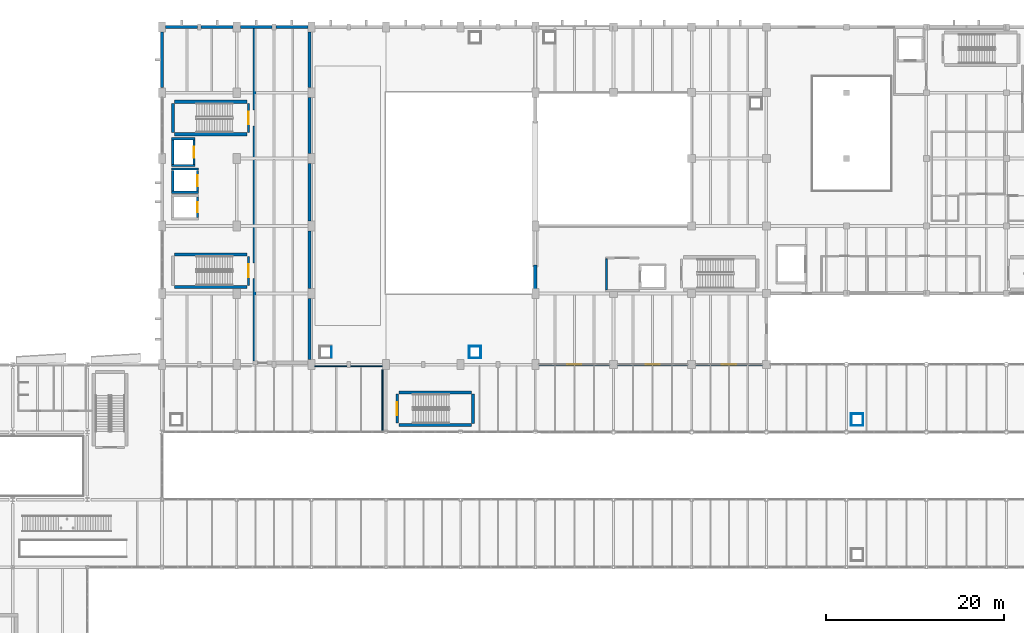
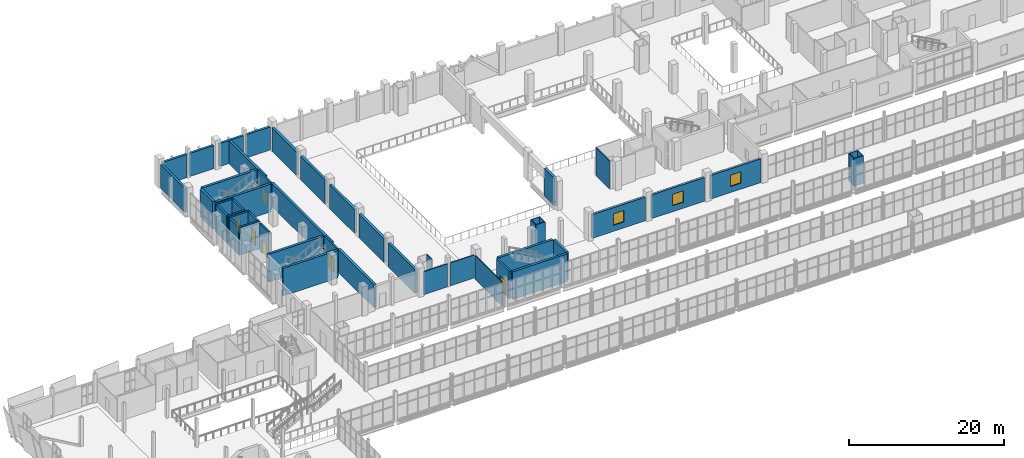
# One storey, part 154 of 172: 50 walls, 6 doors, 3 windows, 9 openings.
"""IFC4 building model written with IfcOpenShell, lengths in metres."""

from ifc_helpers import new_model, si_unit, direction, frame, frame_2d, origin, place, context, subcontext, project, spatial, rectangle, extrude, material, layer, layer_set, type_object, element, fill, save


model = new_model("IFC4")

# Units and contexts
model_context = context("Model", 3, precision=1e-05, world=origin(), true_north=direction((0.0, 1.0)))
body_context = subcontext(model_context, "Body", "Model", "MODEL_VIEW")
ifc_project = project(units=[si_unit("LENGTHUNIT", "METRE"), si_unit("AREAUNIT", "SQUARE_METRE"), si_unit("VOLUMEUNIT", "CUBIC_METRE"), si_unit("PLANEANGLEUNIT", "RADIAN"), si_unit("MASSUNIT", "GRAM", prefix="KILO")], contexts=[model_context])

# Site, building, storey
site_placement = place(None, origin())
site = spatial("IfcSite", under=ifc_project, at=site_placement, CompositionType="ELEMENT")
building_placement = place(site_placement, origin())
building = spatial("IfcBuilding", under=site, at=building_placement, Name="Shengluoqiao Park Theatre", CompositionType="ELEMENT")
storey_placement = place(building_placement, frame((0.0, 0.0, 5.39990234375)))
storey = spatial("IfcBuildingStorey", under=building, at=storey_placement, Name="L01", CompositionType="ELEMENT", Elevation=5.39990234375)

# Wall, opening, window
ifc_material_1 = material(Name="Concrete C40", Category="concrete")
ifc_layer_1 = layer(ifc_material_1, 0.31005859375, Name="Concrete C40")
ifc_layer_set_1 = layer_set([ifc_layer_1], Name="Concrete C40")
wall_type_1 = type_object("IfcWallType", Name="ENV-WL-CONC310", PredefinedType="STANDARD", material=ifc_layer_set_1)
wall_1_placement = place(storey_placement, frame((86.803955078125, 76.0, 0.0), z_axis=(0.0, 0.0, 1.0), x_axis=(1.0, 0.0, 0.0)))
wall_1 = element("IfcWall", 1, at=wall_1_placement, inside=storey, type_object=wall_type_1, Name="L01 Exterior Wall 0062", PredefinedType="STANDARD", context=body_context, shape_type="SweptSolid", body=[
    extrude(rectangle(XDim=7.942138671875, YDim=0.31005859375, at=frame_2d((3.97119140625, 0.0))), origin(), (0.0, 0.0, 1.0), 3.732177734375),
])
opening_1_placement = place(wall_1_placement, frame((3.1708984375, 0.0, 0.949951171875)))
opening_1 = element("IfcOpeningElement", 2, at=opening_1_placement, cuts=wall_1, Name="Opening W-06", PredefinedType="OPENING", context=body_context, shape_type="SweptSolid", body=[
    extrude(rectangle(XDim=1.60009765625, YDim=1.800048828125, at=frame_2d((0.800048828125, 0.89990234375))), frame((0.0, 0.1650390625, 0.0), z_axis=(0.0, -1.0, 0.0), x_axis=(1.0, 0.0, 0.0)), (0.0, 0.0, 1.0), 0.330078125),
])
ifc_material_2 = material(Name="Insulated glass", Category="glass")
window_type = type_object("IfcWindowType", Name="ENV-WIN-W06", PartitioningType="DOUBLE_PANEL_VERTICAL", PredefinedType="WINDOW", material=ifc_material_2)
window_1_placement = place(opening_1_placement, origin())
window_1 = element("IfcWindow", 3, at=window_1_placement, inside=storey, type_object=window_type, Name="L01 Acoustic Window 0001", OverallHeight=1.800048828125, OverallWidth=1.60009765625, PartitioningType="DOUBLE_PANEL_VERTICAL", PredefinedType="WINDOW", context=body_context, shape_type="SweptSolid", body=[
    extrude(rectangle(XDim=1.60009765625, YDim=1.800048828125, at=frame_2d((0.800048828125, 0.89990234375))), frame((0.0, 0.030029296875, 0.0), z_axis=(0.0, -1.0, 0.0), x_axis=(1.0, 0.0, 0.0)), (0.0, 0.0, 1.0), 0.06005859375),
])
fill(opening_1, window_1)

wall_2_placement = place(storey_placement, frame((95.654052734375, 76.0, 0.0), z_axis=(0.0, 0.0, 1.0), x_axis=(1.0, 0.0, 0.0)))
wall_2 = element("IfcWall", 4, at=wall_2_placement, inside=storey, type_object=wall_type_1, Name="L01 Exterior Wall 0063", PredefinedType="STANDARD", context=body_context, shape_type="SweptSolid", body=[
    extrude(rectangle(XDim=7.891845703125, YDim=0.31005859375, at=frame_2d((3.94580078125, 0.0))), origin(), (0.0, 0.0, 1.0), 3.732177734375),
])
opening_2_placement = place(wall_2_placement, frame((3.14599609375, 0.0, 0.949951171875)))
opening_2 = element("IfcOpeningElement", 5, at=opening_2_placement, cuts=wall_2, Name="Opening W-06", PredefinedType="OPENING", context=body_context, shape_type="SweptSolid", body=[
    extrude(rectangle(XDim=1.60009765625, YDim=1.800048828125, at=frame_2d((0.800048828125, 0.89990234375))), frame((0.0, 0.1650390625, 0.0), z_axis=(0.0, -1.0, 0.0), x_axis=(1.0, 0.0, 0.0)), (0.0, 0.0, 1.0), 0.330078125),
])
window_2_placement = place(opening_2_placement, origin())
window_2 = element("IfcWindow", 6, at=window_2_placement, inside=storey, type_object=window_type, Name="L01 Acoustic Window 0002", OverallHeight=1.800048828125, OverallWidth=1.60009765625, PartitioningType="DOUBLE_PANEL_VERTICAL", PredefinedType="WINDOW", context=body_context, shape_type="SweptSolid", body=[
    extrude(rectangle(XDim=1.60009765625, YDim=1.800048828125, at=frame_2d((0.800048828125, 0.89990234375))), frame((0.0, 0.030029296875, 0.0), z_axis=(0.0, -1.0, 0.0), x_axis=(1.0, 0.0, 0.0)), (0.0, 0.0, 1.0), 0.06005859375),
])
fill(opening_2, window_2)

wall_3_placement = place(storey_placement, frame((104.4541015625, 76.0, 0.0), z_axis=(0.0, 0.0, 1.0), x_axis=(1.0, 0.0, 0.0)))
wall_3 = element("IfcWall", 7, at=wall_3_placement, inside=storey, type_object=wall_type_1, Name="L01 Exterior Wall 0064", PredefinedType="STANDARD", context=body_context, shape_type="SweptSolid", body=[
    extrude(rectangle(XDim=7.491943359375, YDim=0.31005859375, at=frame_2d((3.74609375, 0.0))), origin(), (0.0, 0.0, 1.0), 3.732177734375),
])
opening_3_placement = place(wall_3_placement, frame((2.946044921875, 0.0, 0.949951171875)))
opening_3 = element("IfcOpeningElement", 8, at=opening_3_placement, cuts=wall_3, Name="Opening W-06", PredefinedType="OPENING", context=body_context, shape_type="SweptSolid", body=[
    extrude(rectangle(XDim=1.60009765625, YDim=1.800048828125, at=frame_2d((0.800048828125, 0.89990234375))), frame((0.0, 0.1650390625, 0.0), z_axis=(0.0, -1.0, 0.0), x_axis=(1.0, 0.0, 0.0)), (0.0, 0.0, 1.0), 0.330078125),
])
window_3_placement = place(opening_3_placement, origin())
window_3 = element("IfcWindow", 9, at=window_3_placement, inside=storey, type_object=window_type, Name="L01 Acoustic Window 0003", OverallHeight=1.800048828125, OverallWidth=1.60009765625, PartitioningType="DOUBLE_PANEL_VERTICAL", PredefinedType="WINDOW", context=body_context, shape_type="SweptSolid", body=[
    extrude(rectangle(XDim=1.60009765625, YDim=1.800048828125, at=frame_2d((0.800048828125, 0.89990234375))), frame((0.0, 0.030029296875, 0.0), z_axis=(0.0, -1.0, 0.0), x_axis=(1.0, 0.0, 0.0)), (0.0, 0.0, 1.0), 0.06005859375),
])
fill(opening_3, window_3)

# Walls
ifc_material_3 = material(Name="Concrete C45", Category="concrete")
ifc_layer_2 = layer(ifc_material_3, 0.330078125, Name="Concrete C45")
ifc_layer_set_2 = layer_set([ifc_layer_2], Name="Concrete C45")
wall_type_2 = type_object("IfcWallType", Name="ENV-WL-CONC330", PredefinedType="STANDARD", material=ifc_layer_set_2)
for number, where, z_axis, x_axis, name in (
    (10, (44.803955078125, 114.0, 0.0), (0.0, 0.0, 1.0), (1.0, 0.0, 0.0), "L01 Exterior Wall 0014"),
    (11, (48.803955078125, 114.0, 0.0), (0.0, 0.0, 1.0), (1.0, 0.0, 0.0), "L01 Exterior Wall 0015"),
):
    element("IfcWall", number, at=place(storey_placement, frame(where, z_axis=z_axis, x_axis=x_axis)), inside=storey, type_object=wall_type_2, Name=name, PredefinedType="STANDARD", context=body_context, shape_type="SweptSolid", body=[
        extrude(rectangle(XDim=3.592041015625, YDim=0.330078125, at=frame_2d((1.7958984375, 0.0))), origin(), (0.0, 0.0, 1.0), 3.63818359375),
    ])
for number, where, z_axis, x_axis, name in (
    (12, (53.2041015625, 114.0, 0.0), (0.0, 0.0, 1.0), (1.0, 0.0, 0.0), "L01 Exterior Wall 0016"),
    (13, (57.2041015625, 114.0, 0.0), (0.0, 0.0, 1.0), (1.0, 0.0, 0.0), "L01 Exterior Wall 0017"),
):
    element("IfcWall", number, at=place(storey_placement, frame(where, z_axis=z_axis, x_axis=x_axis)), inside=storey, type_object=wall_type_2, Name=name, PredefinedType="STANDARD", context=body_context, shape_type="SweptSolid", body=[
        extrude(rectangle(XDim=3.591796875, YDim=0.330078125, at=frame_2d((1.7958984375, 0.0))), origin(), (0.0, 0.0, 1.0), 3.628173828125),
    ])
wall_4_placement = place(storey_placement, frame((44.39990234375, 107.154052734375, 0.0), z_axis=(0.0, 0.0, 1.0), x_axis=(0.0, 1.0, 0.0)))
element("IfcWall", 14, at=wall_4_placement, inside=storey, type_object=wall_type_2, Name="L01 Exterior Wall 0026", PredefinedType="STANDARD", context=body_context, shape_type="SweptSolid", body=[
    extrude(rectangle(XDim=6.2919921875, YDim=0.330078125, at=frame_2d((3.14599609375, 0.0))), origin(), (0.0, 0.0, 1.0), 3.75),
])
ifc_material_4 = material(Name="Gypsum acoustic stud", Category="gypsum")
ifc_layer_3 = layer(ifc_material_4, 0.360107421875, Name="Gypsum acoustic stud")
ifc_layer_set_3 = layer_set([ifc_layer_3], Name="Gypsum acoustic stud")
wall_type_3 = type_object("IfcWallType", Name="INT-WL-ACO360", PredefinedType="PARTITIONING", material=ifc_layer_set_3)
wall_5_placement = place(storey_placement, frame((61.0, 76.555908203125, 0.0), z_axis=(0.0, 0.0, 1.0), x_axis=(0.0, 1.0, 0.0)))
element("IfcWall", 15, at=wall_5_placement, inside=storey, type_object=wall_type_3, Name="First Balcony Upper Tier Partition E", PredefinedType="PARTITIONING", context=body_context, shape_type="SweptSolid", body=[
    extrude(rectangle(XDim=6.88818359375, YDim=0.360107421875, at=frame_2d((3.444091796875, 0.0))), origin(), (0.0, 0.0, 1.0), 3.739990234375),
])
wall_6_placement = place(storey_placement, frame((54.800048828125, 76.385986328125, 0.0), z_axis=(0.0, 0.0, 1.0), x_axis=(0.0, 1.0, 0.0)))
element("IfcWall", 16, at=wall_6_placement, inside=storey, type_object=wall_type_3, Name="First Balcony Upper Tier Partition W", PredefinedType="PARTITIONING", context=body_context, shape_type="SweptSolid", body=[
    extrude(rectangle(XDim=9.279052734375, YDim=0.360107421875, at=frame_2d((4.6396484375, 0.0))), origin(), (0.0, 0.0, 1.0), 3.628173828125),
])
wall_7_placement = place(storey_placement, frame((61.0, 84.555908203125, 0.0), z_axis=(0.0, 0.0, 1.0), x_axis=(0.0, 1.0, 0.0)))
element("IfcWall", 17, at=wall_7_placement, inside=storey, type_object=wall_type_3, Name="First Balcony Upper Tier Partition E", PredefinedType="PARTITIONING", context=body_context, shape_type="SweptSolid", body=[
    extrude(rectangle(XDim=6.488037109375, YDim=0.360107421875, at=frame_2d((3.244140625, 0.0))), origin(), (0.0, 0.0, 1.0), 3.739990234375),
])
wall_8_placement = place(storey_placement, frame((61.0, 92.156005859375, 0.0), z_axis=(0.0, 0.0, 1.0), x_axis=(0.0, 1.0, 0.0)))
element("IfcWall", 18, at=wall_8_placement, inside=storey, type_object=wall_type_3, Name="First Balcony Upper Tier Partition E", PredefinedType="PARTITIONING", context=body_context, shape_type="SweptSolid", body=[
    extrude(rectangle(XDim=6.488037109375, YDim=0.360107421875, at=frame_2d((3.244140625, 0.0))), origin(), (0.0, 0.0, 1.0), 3.75),
])
wall_9_placement = place(storey_placement, frame((61.0, 99.756103515625, 0.0), z_axis=(0.0, 0.0, 1.0), x_axis=(0.0, 1.0, 0.0)))
element("IfcWall", 19, at=wall_9_placement, inside=storey, type_object=wall_type_3, Name="First Balcony Upper Tier Partition E", PredefinedType="PARTITIONING", context=body_context, shape_type="SweptSolid", body=[
    extrude(rectangle(XDim=6.287841796875, YDim=0.360107421875, at=frame_2d((3.14404296875, 0.0))), origin(), (0.0, 0.0, 1.0), 3.739990234375),
])
wall_10_placement = place(storey_placement, frame((54.800048828125, 87.43505859375, 0.0), z_axis=(0.0, 0.0, 1.0), x_axis=(0.0, 1.0, 0.0)))
element("IfcWall", 20, at=wall_10_placement, inside=storey, type_object=wall_type_3, Name="First Balcony Upper Tier Partition W", PredefinedType="PARTITIONING", context=body_context, shape_type="SweptSolid", body=[
    extrude(rectangle(XDim=15.429931640625, YDim=0.360107421875, at=frame_2d((7.71484375, 0.0))), origin(), (0.0, 0.0, 1.0), 3.63818359375),
])
wall_11_placement = place(storey_placement, frame((61.0, 107.156005859375, 0.0), z_axis=(0.0, 0.0, 1.0), x_axis=(0.0, 1.0, 0.0)))
element("IfcWall", 21, at=wall_11_placement, inside=storey, type_object=wall_type_3, Name="First Balcony Upper Tier Partition E", PredefinedType="PARTITIONING", context=body_context, shape_type="SweptSolid", body=[
    extrude(rectangle(XDim=6.2880859375, YDim=0.360107421875, at=frame_2d((3.14404296875, 0.0))), origin(), (0.0, 0.0, 1.0), 3.739990234375),
])
wall_12_placement = place(storey_placement, frame((54.800048828125, 104.635009765625, 0.0), z_axis=(0.0, 0.0, 1.0), x_axis=(0.0, 1.0, 0.0)))
element("IfcWall", 22, at=wall_12_placement, inside=storey, type_object=wall_type_3, Name="First Balcony Upper Tier Partition W", PredefinedType="PARTITIONING", context=body_context, shape_type="SweptSolid", body=[
    extrude(rectangle(XDim=9.19189453125, YDim=0.360107421875, at=frame_2d((4.595947265625, 0.0))), origin(), (0.0, 0.0, 1.0), 3.628173828125),
])
ifc_material_5 = material(Name="Concrete blockwork B06", Category="masonry")
ifc_layer_4 = layer(ifc_material_5, 0.195068359375, Name="Concrete blockwork B06")
ifc_layer_set_4 = layer_set([ifc_layer_4], Name="Concrete blockwork B06")
wall_type_4 = type_object("IfcWallType", Name="INT-WL-FFL195", PredefinedType="PARTITIONING", material=ifc_layer_set_4)
wall_13_placement = place(storey_placement, frame((94.39990234375, 84.419921875, 0.0), z_axis=(0.0, 0.0, 1.0), x_axis=(0.0, 1.0, 0.0)))
element("IfcWall", 23, at=wall_13_placement, inside=storey, type_object=wall_type_4, Name="L01 Firefighting Lift Lobby FF1 Fire Wall W", PredefinedType="PARTITIONING", context=body_context, shape_type="SweptSolid", body=[
    extrude(rectangle(XDim=3.47509765625, YDim=0.195068359375, at=frame_2d((1.737548828125, 0.0))), origin(), (0.0, 0.0, 1.0), 4.360107421875),
])
ifc_material_6 = material(Name="Gypsum shaftwall", Category="gypsum")
ifc_layer_5 = layer(ifc_material_6, 0.094970703125, Name="Gypsum shaftwall")
ifc_layer_set_5 = layer_set([ifc_layer_5], Name="Gypsum shaftwall")
wall_type_5 = type_object("IfcWallType", Name="INT-WL-RSR095", PredefinedType="PARTITIONING", material=ifc_layer_set_5)
wall_14_placement = place(storey_placement, frame((63.469970703125, 76.804931640625, 0.0), z_axis=(0.0, 0.0, 1.0), x_axis=(0.0, 1.0, 0.0)))
element("IfcWall", 24, at=wall_14_placement, inside=storey, type_object=wall_type_5, Name="L01 Service Riser Shaftwall 056", PredefinedType="PARTITIONING", context=body_context, shape_type="SweptSolid", body=[
    extrude(rectangle(XDim=1.2099609375, YDim=0.094970703125, at=frame_2d((0.60498046875, 0.0))), origin(), (0.0, 0.0, 1.0), 4.360107421875),
])
for number, where, z_axis, x_axis, name in (
    (25, (78.905029296875, 76.75, 0.0), (0.0, 0.0, 1.0), (1.0, 0.0, 0.0), "L01 Service Riser Shaftwall 057"),
    (26, (78.905029296875, 78.070068359375, 0.0), (0.0, 0.0, 1.0), (1.0, 0.0, 0.0), "L01 Service Riser Shaftwall 058"),
):
    element("IfcWall", number, at=place(storey_placement, frame(where, z_axis=z_axis, x_axis=x_axis)), inside=storey, type_object=wall_type_5, Name=name, PredefinedType="PARTITIONING", context=body_context, shape_type="SweptSolid", body=[
        extrude(rectangle(XDim=1.409912109375, YDim=0.094970703125, at=frame_2d((0.705078125, 0.0))), origin(), (0.0, 0.0, 1.0), 4.360107421875),
    ])
for number, where, z_axis, x_axis, name in (
    (27, (78.949951171875, 76.804931640625, 0.0), (0.0, 0.0, 1.0), (0.0, 1.0, 0.0), "L01 Service Riser Shaftwall 059"),
    (28, (80.27001953125, 76.804931640625, 0.0), (0.0, 0.0, 1.0), (0.0, 1.0, 0.0), "L01 Service Riser Shaftwall 060"),
):
    element("IfcWall", number, at=place(storey_placement, frame(where, z_axis=z_axis, x_axis=x_axis)), inside=storey, type_object=wall_type_5, Name=name, PredefinedType="PARTITIONING", context=body_context, shape_type="SweptSolid", body=[
        extrude(rectangle(XDim=1.2099609375, YDim=0.094970703125, at=frame_2d((0.60498046875, 0.0))), origin(), (0.0, 0.0, 1.0), 4.360107421875),
    ])
for number, where, z_axis, x_axis, name in (
    (29, (121.905029296875, 69.14990234375, 0.0), (0.0, 0.0, 1.0), (1.0, 0.0, 0.0), "L01 Service Riser Shaftwall 085"),
    (30, (121.905029296875, 70.469970703125, 0.0), (0.0, 0.0, 1.0), (1.0, 0.0, 0.0), "L01 Service Riser Shaftwall 086"),
):
    element("IfcWall", number, at=place(storey_placement, frame(where, z_axis=z_axis, x_axis=x_axis)), inside=storey, type_object=wall_type_5, Name=name, PredefinedType="PARTITIONING", context=body_context, shape_type="SweptSolid", body=[
        extrude(rectangle(XDim=1.409912109375, YDim=0.094970703125, at=frame_2d((0.705078125, 0.0))), origin(), (0.0, 0.0, 1.0), 4.360107421875),
    ])
for number, where, z_axis, x_axis, name in (
    (31, (121.949951171875, 69.205078125, 0.0), (0.0, 0.0, 1.0), (0.0, 1.0, 0.0), "L01 Service Riser Shaftwall 087"),
    (32, (123.27001953125, 69.205078125, 0.0), (0.0, 0.0, 1.0), (0.0, 1.0, 0.0), "L01 Service Riser Shaftwall 088"),
):
    element("IfcWall", number, at=place(storey_placement, frame(where, z_axis=z_axis, x_axis=x_axis)), inside=storey, type_object=wall_type_5, Name=name, PredefinedType="PARTITIONING", context=body_context, shape_type="SweptSolid", body=[
        extrude(rectangle(XDim=1.2099609375, YDim=0.094970703125, at=frame_2d((0.60498046875, 0.0))), origin(), (0.0, 0.0, 1.0), 4.360107421875),
    ])

# Wall, opening, door
ifc_layer_6 = layer(ifc_material_1, 0.260009765625, Name="Concrete C40")
ifc_layer_set_6 = layer_set([ifc_layer_6], Name="Concrete C40")
wall_type_6 = type_object("IfcWallType", Name="INT-WL-SHF260", PredefinedType="STANDARD", material=ifc_layer_set_6)
wall_15_placement = place(storey_placement, frame((48.39990234375, 92.535888671875, 0.0), z_axis=(0.0, 0.0, 1.0), x_axis=(0.0, 1.0, 0.0)))
wall_15 = element("IfcWall", 33, at=wall_15_placement, inside=storey, type_object=wall_type_6, Name="L01 PL3 Lift Shaft Wall East", PredefinedType="STANDARD", context=body_context, shape_type="SweptSolid", body=[
    extrude(rectangle(XDim=2.328125, YDim=0.260009765625, at=frame_2d((1.1640625, 0.0))), origin(), (0.0, 0.0, 1.0), 4.360107421875),
])
opening_4_placement = place(wall_15_placement, frame((0.589111328125, 0.0, 0.0)))
opening_4 = element("IfcOpeningElement", 34, at=opening_4_placement, cuts=wall_15, Name="Opening LD-PL3-L01", PredefinedType="OPENING", context=body_context, shape_type="SweptSolid", body=[
    extrude(rectangle(XDim=1.14990234375, YDim=2.14990234375, at=frame_2d((0.574951171875, 1.074951171875))), frame((0.0, 0.139892578125, 0.0), z_axis=(0.0, -1.0, 0.0), x_axis=(1.0, 0.0, 0.0)), (0.0, 0.0, 1.0), 0.280029296875),
])
ifc_material_7 = material(Name="Stainless steel 304", Category="steel")
door_type_1 = type_object("IfcDoorType", Name="INT-DR-LD115", OperationType="SLIDING_TO_LEFT", PredefinedType="DOOR", material=ifc_material_7)
door_1_placement = place(opening_4_placement, origin())
door_1 = element("IfcDoor", 35, at=door_1_placement, inside=storey, type_object=door_type_1, Name="PL3 Lift Landing Door LD-PL3-L01", OperationType="SLIDING_TO_LEFT", OverallHeight=2.14990234375, OverallWidth=1.14990234375, PredefinedType="DOOR", context=body_context, shape_type="SweptSolid", body=[
    extrude(rectangle(XDim=1.14990234375, YDim=2.14990234375, at=frame_2d((0.574951171875, 1.074951171875))), frame((0.0, 0.02490234375, 0.0), z_axis=(0.0, -1.0, 0.0), x_axis=(1.0, 0.0, 0.0)), (0.0, 0.0, 1.0), 0.050048828125),
])
fill(opening_4, door_1)

# Walls
for number, where, z_axis, x_axis, name in (
    (36, (45.469970703125, 95.39990234375, 0.0), (0.0, 0.0, 1.0), (1.0, 0.0, 0.0), "L01 PL4 Lift Shaft Wall South"),
    (37, (45.469970703125, 98.0, 0.0), (0.0, 0.0, 1.0), (1.0, 0.0, 0.0), "L01 PL4 Lift Shaft Wall North"),
):
    element("IfcWall", number, at=place(storey_placement, frame(where, z_axis=z_axis, x_axis=x_axis)), inside=storey, type_object=wall_type_6, Name=name, PredefinedType="STANDARD", context=body_context, shape_type="SweptSolid", body=[
        extrude(rectangle(XDim=3.06005859375, YDim=0.260009765625, at=frame_2d((1.530029296875, 0.0))), origin(), (0.0, 0.0, 1.0), 4.360107421875),
    ])
wall_16_placement = place(storey_placement, frame((45.60009765625, 95.535888671875, 0.0), z_axis=(0.0, 0.0, 1.0), x_axis=(0.0, 1.0, 0.0)))
element("IfcWall", 38, at=wall_16_placement, inside=storey, type_object=wall_type_6, Name="L01 PL4 Lift Shaft Wall West", PredefinedType="STANDARD", context=body_context, shape_type="SweptSolid", body=[
    extrude(rectangle(XDim=2.328125, YDim=0.260009765625, at=frame_2d((1.1640625, 0.0))), origin(), (0.0, 0.0, 1.0), 4.360107421875),
])

# Wall, opening, door
wall_17_placement = place(storey_placement, frame((48.39990234375, 95.535888671875, 0.0), z_axis=(0.0, 0.0, 1.0), x_axis=(0.0, 1.0, 0.0)))
wall_17 = element("IfcWall", 39, at=wall_17_placement, inside=storey, type_object=wall_type_6, Name="L01 PL4 Lift Shaft Wall East", PredefinedType="STANDARD", context=body_context, shape_type="SweptSolid", body=[
    extrude(rectangle(XDim=2.328125, YDim=0.260009765625, at=frame_2d((1.1640625, 0.0))), origin(), (0.0, 0.0, 1.0), 4.360107421875),
])
opening_5_placement = place(wall_17_placement, frame((0.553955078125, 0.0, 0.0)))
opening_5 = element("IfcOpeningElement", 40, at=opening_5_placement, cuts=wall_17, Name="Opening LD-PL4-L01", PredefinedType="OPENING", context=body_context, shape_type="SweptSolid", body=[
    extrude(rectangle(XDim=1.219970703125, YDim=2.199951171875, at=frame_2d((0.60986328125, 1.10009765625))), frame((0.0, 0.139892578125, 0.0), z_axis=(0.0, -1.0, 0.0), x_axis=(1.0, 0.0, 0.0)), (0.0, 0.0, 1.0), 0.280029296875),
])
door_type_2 = type_object("IfcDoorType", Name="INT-DR-LD122", OperationType="SLIDING_TO_RIGHT", PredefinedType="DOOR", material=ifc_material_7)
door_2_placement = place(opening_5_placement, origin())
door_2 = element("IfcDoor", 41, at=door_2_placement, inside=storey, type_object=door_type_2, Name="PL4 Lift Landing Door LD-PL4-L01", OperationType="SLIDING_TO_RIGHT", OverallHeight=2.199951171875, OverallWidth=1.219970703125, PredefinedType="DOOR", context=body_context, shape_type="SweptSolid", body=[
    extrude(rectangle(XDim=1.219970703125, YDim=2.199951171875, at=frame_2d((0.60986328125, 1.10009765625))), frame((0.0, 0.02490234375, 0.0), z_axis=(0.0, -1.0, 0.0), x_axis=(1.0, 0.0, 0.0)), (0.0, 0.0, 1.0), 0.050048828125),
])
fill(opening_5, door_2)

# Walls
for number, where, z_axis, x_axis, name in (
    (42, (45.469970703125, 98.39990234375, 0.0), (0.0, 0.0, 1.0), (1.0, 0.0, 0.0), "L01 AL1 Lift Shaft Wall South"),
    (43, (45.469970703125, 101.39990234375, 0.0), (0.0, 0.0, 1.0), (1.0, 0.0, 0.0), "L01 AL1 Lift Shaft Wall North"),
):
    element("IfcWall", number, at=place(storey_placement, frame(where, z_axis=z_axis, x_axis=x_axis)), inside=storey, type_object=wall_type_6, Name=name, PredefinedType="STANDARD", context=body_context, shape_type="SweptSolid", body=[
        extrude(rectangle(XDim=2.659912109375, YDim=0.260009765625, at=frame_2d((1.330078125, 0.0))), origin(), (0.0, 0.0, 1.0), 4.360107421875),
    ])
wall_18_placement = place(storey_placement, frame((45.60009765625, 98.535888671875, 0.0), z_axis=(0.0, 0.0, 1.0), x_axis=(0.0, 1.0, 0.0)))
element("IfcWall", 44, at=wall_18_placement, inside=storey, type_object=wall_type_6, Name="L01 AL1 Lift Shaft Wall West", PredefinedType="STANDARD", context=body_context, shape_type="SweptSolid", body=[
    extrude(rectangle(XDim=2.72802734375, YDim=0.260009765625, at=frame_2d((1.364013671875, 0.0))), origin(), (0.0, 0.0, 1.0), 4.360107421875),
])

# Wall, opening, door
wall_19_placement = place(storey_placement, frame((48.0, 98.535888671875, 0.0), z_axis=(0.0, 0.0, 1.0), x_axis=(0.0, 1.0, 0.0)))
wall_19 = element("IfcWall", 45, at=wall_19_placement, inside=storey, type_object=wall_type_6, Name="L01 AL1 Lift Shaft Wall East", PredefinedType="STANDARD", context=body_context, shape_type="SweptSolid", body=[
    extrude(rectangle(XDim=2.72802734375, YDim=0.260009765625, at=frame_2d((1.364013671875, 0.0))), origin(), (0.0, 0.0, 1.0), 4.360107421875),
])
opening_6_placement = place(wall_19_placement, frame((0.75390625, 0.0, 0.0)))
opening_6 = element("IfcOpeningElement", 46, at=opening_6_placement, cuts=wall_19, Name="Opening LD-AL1-L01", PredefinedType="OPENING", context=body_context, shape_type="SweptSolid", body=[
    extrude(rectangle(XDim=1.219970703125, YDim=2.199951171875, at=frame_2d((0.60986328125, 1.10009765625))), frame((0.0, 0.139892578125, 0.0), z_axis=(0.0, -1.0, 0.0), x_axis=(1.0, 0.0, 0.0)), (0.0, 0.0, 1.0), 0.280029296875),
])
door_3_placement = place(opening_6_placement, origin())
door_3 = element("IfcDoor", 47, at=door_3_placement, inside=storey, type_object=door_type_2, Name="AL1 Lift Landing Door LD-AL1-L01", OperationType="SLIDING_TO_LEFT", OverallHeight=2.199951171875, OverallWidth=1.219970703125, PredefinedType="DOOR", context=body_context, shape_type="SweptSolid", body=[
    extrude(rectangle(XDim=1.219970703125, YDim=2.199951171875, at=frame_2d((0.60986328125, 1.10009765625))), frame((0.0, 0.02490234375, 0.0), z_axis=(0.0, -1.0, 0.0), x_axis=(1.0, 0.0, 0.0)), (0.0, 0.0, 1.0), 0.050048828125),
])
fill(opening_6, door_3)

# Walls
ifc_material_8 = material(Name="Gypsum board", Category="gypsum")
ifc_layer_7 = layer(ifc_material_8, 0.135009765625, Name="Gypsum board")
ifc_layer_set_7 = layer_set([ifc_layer_7], Name="Gypsum board")
wall_type_7 = type_object("IfcWallType", Name="INT-WL-STD135", PredefinedType="PARTITIONING", material=ifc_layer_set_7)
wall_20_placement = place(storey_placement, frame((61.60595703125, 75.800048828125, 0.0), z_axis=(0.0, 0.0, 1.0), x_axis=(1.0, 0.0, 0.0)))
element("IfcWall", 48, at=wall_20_placement, inside=storey, type_object=wall_type_7, Name="South Park Balcony Bar Partition N", PredefinedType="PARTITIONING", context=body_context, shape_type="SweptSolid", body=[
    extrude(rectangle(XDim=3.588134765625, YDim=0.135009765625, at=frame_2d((1.7939453125, 0.0))), origin(), (0.0, 0.0, 1.0), 3.628173828125),
])
wall_21_placement = place(storey_placement, frame((65.60595703125, 75.800048828125, 0.0), z_axis=(0.0, 0.0, 1.0), x_axis=(1.0, 0.0, 0.0)))
element("IfcWall", 49, at=wall_21_placement, inside=storey, type_object=wall_type_7, Name="South Park Balcony Bar Partition N", PredefinedType="PARTITIONING", context=body_context, shape_type="SweptSolid", body=[
    extrude(rectangle(XDim=3.5859375, YDim=0.135009765625, at=frame_2d((1.79296875, 0.0))), origin(), (0.0, 0.0, 1.0), 3.628173828125),
])
wall_22_placement = place(storey_placement, frame((69.199951171875, 68.508056640625, 0.0), z_axis=(0.0, 0.0, 1.0), x_axis=(0.0, 1.0, 0.0)))
element("IfcWall", 50, at=wall_22_placement, inside=storey, type_object=wall_type_7, Name="South Park Balcony Bar Partition E", PredefinedType="PARTITIONING", context=body_context, shape_type="SweptSolid", body=[
    extrude(rectangle(XDim=6.93603515625, YDim=0.135009765625, at=frame_2d((3.468017578125, 0.0))), origin(), (0.0, 0.0, 1.0), 3.7421875),
])

# Wall, opening, door
ifc_layer_8 = layer(ifc_material_1, 0.239990234375, Name="Concrete C40")
ifc_layer_set_8 = layer_set([ifc_layer_8], Name="Concrete C40")
wall_type_8 = type_object("IfcWallType", Name="INT-WL-STW240", PredefinedType="STANDARD", material=ifc_layer_set_8)
wall_23_placement = place(storey_placement, frame((54.139892578125, 88.18994140625, 0.0), z_axis=(0.0, 0.0, 1.0), x_axis=(0.0, -1.0, 0.0)))
wall_23 = element("IfcWall", 51, at=wall_23_placement, inside=storey, type_object=wall_type_8, Name="L01 ST-02 Stairwell Fire Wall", PredefinedType="STANDARD", context=body_context, shape_type="SweptSolid", body=[
    extrude(rectangle(XDim=3.280029296875, YDim=0.239990234375, at=frame_2d((1.64013671875, 0.0))), origin(), (0.0, 0.0, 1.0), 4.360107421875),
])
opening_7_placement = place(wall_23_placement, frame((0.9150390625, 0.0, 0.0)))
opening_7 = element("IfcOpeningElement", 52, at=opening_7_placement, cuts=wall_23, Name="Opening SD-02-L01", PredefinedType="OPENING", context=body_context, shape_type="SweptSolid", body=[
    extrude(rectangle(XDim=1.449951171875, YDim=2.199951171875, at=frame_2d((0.72509765625, 1.10009765625))), frame((0.0, 0.1298828125, 0.0), z_axis=(0.0, -1.0, 0.0), x_axis=(1.0, 0.0, 0.0)), (0.0, 0.0, 1.0), 0.260009765625),
])
ifc_material_9 = material(Name="Steel Q355", Category="steel")
door_type_3 = type_object("IfcDoorType", Name="INT-DR-STW145", OperationType="DOUBLE_DOOR_SINGLE_SWING", PredefinedType="DOOR", material=ifc_material_9)
door_4_placement = place(opening_7_placement, origin())
door_4 = element("IfcDoor", 53, at=door_4_placement, inside=storey, type_object=door_type_3, Name="L01 ST-02 Escape Stair Door SD-02-L01", OperationType="DOUBLE_DOOR_SINGLE_SWING", OverallHeight=2.199951171875, OverallWidth=1.449951171875, PredefinedType="DOOR", context=body_context, shape_type="SweptSolid", body=[
    extrude(rectangle(XDim=1.449951171875, YDim=2.199951171875, at=frame_2d((0.72509765625, 1.10009765625))), frame((0.0, 0.02490234375, 0.0), z_axis=(0.0, -1.0, 0.0), x_axis=(1.0, 0.0, 0.0)), (0.0, 0.0, 1.0), 0.050048828125),
])
fill(opening_7, door_4)

wall_24_placement = place(storey_placement, frame((54.139892578125, 105.389892578125, 0.0), z_axis=(0.0, 0.0, 1.0), x_axis=(0.0, -1.0, 0.0)))
wall_24 = element("IfcWall", 54, at=wall_24_placement, inside=storey, type_object=wall_type_8, Name="L01 ST-03 Stairwell Fire Wall", PredefinedType="STANDARD", context=body_context, shape_type="SweptSolid", body=[
    extrude(rectangle(XDim=3.27978515625, YDim=0.239990234375, at=frame_2d((1.639892578125, 0.0))), origin(), (0.0, 0.0, 1.0), 4.360107421875),
])
opening_8_placement = place(wall_24_placement, frame((0.9150390625, 0.0, 0.0)))
opening_8 = element("IfcOpeningElement", 55, at=opening_8_placement, cuts=wall_24, Name="Opening SD-03-L01", PredefinedType="OPENING", context=body_context, shape_type="SweptSolid", body=[
    extrude(rectangle(XDim=1.449951171875, YDim=2.199951171875, at=frame_2d((0.72509765625, 1.10009765625))), frame((0.0, 0.1298828125, 0.0), z_axis=(0.0, -1.0, 0.0), x_axis=(1.0, 0.0, 0.0)), (0.0, 0.0, 1.0), 0.260009765625),
])
door_5_placement = place(opening_8_placement, origin())
door_5 = element("IfcDoor", 56, at=door_5_placement, inside=storey, type_object=door_type_3, Name="L01 ST-03 Escape Stair Door SD-03-L01", OperationType="DOUBLE_DOOR_SINGLE_SWING", OverallHeight=2.199951171875, OverallWidth=1.449951171875, PredefinedType="DOOR", context=body_context, shape_type="SweptSolid", body=[
    extrude(rectangle(XDim=1.449951171875, YDim=2.199951171875, at=frame_2d((0.72509765625, 1.10009765625))), frame((0.0, 0.02490234375, 0.0), z_axis=(0.0, -1.0, 0.0), x_axis=(1.0, 0.0, 0.0)), (0.0, 0.0, 1.0), 0.050048828125),
])
fill(opening_8, door_5)

wall_25_placement = place(storey_placement, frame((70.860107421875, 69.409912109375, 0.0), z_axis=(0.0, 0.0, 1.0), x_axis=(0.0, 1.0, 0.0)))
wall_25 = element("IfcWall", 57, at=wall_25_placement, inside=storey, type_object=wall_type_8, Name="L01 ST-11 Stairwell Fire Wall", PredefinedType="STANDARD", context=body_context, shape_type="SweptSolid", body=[
    extrude(rectangle(XDim=3.280029296875, YDim=0.239990234375, at=frame_2d((1.64013671875, 0.0))), origin(), (0.0, 0.0, 1.0), 4.360107421875),
])
opening_9_placement = place(wall_25_placement, frame((0.9150390625, 0.0, 0.0)))
opening_9 = element("IfcOpeningElement", 58, at=opening_9_placement, cuts=wall_25, Name="Opening SD-11-L01", PredefinedType="OPENING", context=body_context, shape_type="SweptSolid", body=[
    extrude(rectangle(XDim=1.449951171875, YDim=2.199951171875, at=frame_2d((0.72509765625, 1.10009765625))), frame((0.0, 0.1298828125, 0.0), z_axis=(0.0, -1.0, 0.0), x_axis=(1.0, 0.0, 0.0)), (0.0, 0.0, 1.0), 0.260009765625),
])
door_6_placement = place(opening_9_placement, origin())
door_6 = element("IfcDoor", 59, at=door_6_placement, inside=storey, type_object=door_type_3, Name="L01 ST-11 Escape Stair Door SD-11-L01", OperationType="DOUBLE_DOOR_SINGLE_SWING", OverallHeight=2.199951171875, OverallWidth=1.449951171875, PredefinedType="DOOR", context=body_context, shape_type="SweptSolid", body=[
    extrude(rectangle(XDim=1.449951171875, YDim=2.199951171875, at=frame_2d((0.72509765625, 1.10009765625))), frame((0.0, 0.02490234375, 0.0), z_axis=(0.0, -1.0, 0.0), x_axis=(1.0, 0.0, 0.0)), (0.0, 0.0, 1.0), 0.050048828125),
])
fill(opening_9, door_6)

# Walls
ifc_material_10 = material(Name="Concrete C50", Category="concrete")
ifc_layer_9 = layer(ifc_material_10, 0.35009765625, Name="Concrete C50")
ifc_layer_set_9 = layer_set([ifc_layer_9], Name="Concrete C50")
wall_type_9 = type_object("IfcWallType", Name="STR-SW-CORE350", PredefinedType="SHEAR", material=ifc_layer_set_9)
for number, where, z_axis, x_axis, name in (
    (60, (53.949951171875, 88.3798828125, 0.0), (0.0, 0.0, 1.0), (-1.0, 0.0, 0.0), "L01 ST-02 Core Left Shear Wall 0043"),
    (61, (45.800048828125, 84.719970703125, 0.0), (0.0, 0.0, 1.0), (1.0, 0.0, 0.0), "L01 ST-02 Core Right Shear Wall 0045"),
    (62, (53.949951171875, 105.580078125, 0.0), (0.0, 0.0, 1.0), (-1.0, 0.0, 0.0), "L01 ST-03 Core Left Shear Wall 0061"),
):
    element("IfcWall", number, at=place(storey_placement, frame(where, z_axis=z_axis, x_axis=x_axis)), inside=storey, type_object=wall_type_9, Name=name, PredefinedType="SHEAR", context=body_context, shape_type="SweptSolid", body=[
        extrude(rectangle(XDim=8.14990234375, YDim=0.35009765625, at=frame_2d((4.074951171875, 0.0))), origin(), (0.0, 0.0, 1.0), 4.360107421875),
    ])
wall_26_placement = place(storey_placement, frame((45.6201171875, 105.39990234375, 0.0), z_axis=(0.0, 0.0, 1.0), x_axis=(0.0, -1.0, 0.0)))
element("IfcWall", 63, at=wall_26_placement, inside=storey, type_object=wall_type_9, Name="L01 ST-03 Core Far Shear Wall 0062", PredefinedType="SHEAR", context=body_context, shape_type="SweptSolid", body=[
    extrude(rectangle(XDim=3.2998046875, YDim=0.35009765625, at=frame_2d((1.64990234375, 0.0))), origin(), (0.0, 0.0, 1.0), 4.360107421875),
])
for number, where, z_axis, x_axis, name in (
    (64, (45.800048828125, 101.919921875, 0.0), (0.0, 0.0, 1.0), (1.0, 0.0, 0.0), "L01 ST-03 Core Right Shear Wall 0063"),
    (65, (71.050048828125, 69.219970703125, 0.0), (0.0, 0.0, 1.0), (1.0, 0.0, 0.0), "L01 ST-11 Core Left Shear Wall 0151"),
):
    element("IfcWall", number, at=place(storey_placement, frame(where, z_axis=z_axis, x_axis=x_axis)), inside=storey, type_object=wall_type_9, Name=name, PredefinedType="SHEAR", context=body_context, shape_type="SweptSolid", body=[
        extrude(rectangle(XDim=8.14990234375, YDim=0.35009765625, at=frame_2d((4.074951171875, 0.0))), origin(), (0.0, 0.0, 1.0), 4.360107421875),
    ])
wall_27_placement = place(storey_placement, frame((79.3798828125, 69.39990234375, 0.0), z_axis=(0.0, 0.0, 1.0), x_axis=(0.0, 1.0, 0.0)))
element("IfcWall", 66, at=wall_27_placement, inside=storey, type_object=wall_type_9, Name="L01 ST-11 Core Far Shear Wall 0152", PredefinedType="SHEAR", context=body_context, shape_type="SweptSolid", body=[
    extrude(rectangle(XDim=3.300048828125, YDim=0.35009765625, at=frame_2d((1.64990234375, 0.0))), origin(), (0.0, 0.0, 1.0), 4.360107421875),
])
wall_28_placement = place(storey_placement, frame((79.199951171875, 72.8798828125, 0.0), z_axis=(0.0, 0.0, 1.0), x_axis=(-1.0, 0.0, 0.0)))
element("IfcWall", 67, at=wall_28_placement, inside=storey, type_object=wall_type_9, Name="L01 ST-11 Core Right Shear Wall 0153", PredefinedType="SHEAR", context=body_context, shape_type="SweptSolid", body=[
    extrude(rectangle(XDim=8.14990234375, YDim=0.35009765625, at=frame_2d((4.074951171875, 0.0))), origin(), (0.0, 0.0, 1.0), 4.360107421875),
])
ifc_layer_10 = layer(ifc_material_10, 0.39990234375, Name="Concrete C50")
ifc_layer_set_10 = layer_set([ifc_layer_10], Name="Concrete C50")
wall_type_10 = type_object("IfcWallType", Name="STR-SW-PROSC400", PredefinedType="SHEAR", material=ifc_layer_set_10)
wall_29_placement = place(storey_placement, frame((86.39990234375, 84.5, 0.0), z_axis=(0.0, 0.0, 1.0), x_axis=(0.0, 1.0, 0.0)))
element("IfcWall", 68, at=wall_29_placement, inside=storey, type_object=wall_type_10, Name="L01 Proscenium Fire Wall South Pier 0019", PredefinedType="SHEAR", context=body_context, shape_type="SweptSolid", body=[
    extrude(rectangle(XDim=2.699951171875, YDim=0.39990234375, at=frame_2d((1.35009765625, 0.0))), origin(), (0.0, 0.0, 1.0), 4.360107421875),
])

save(model, "model.ifc")
